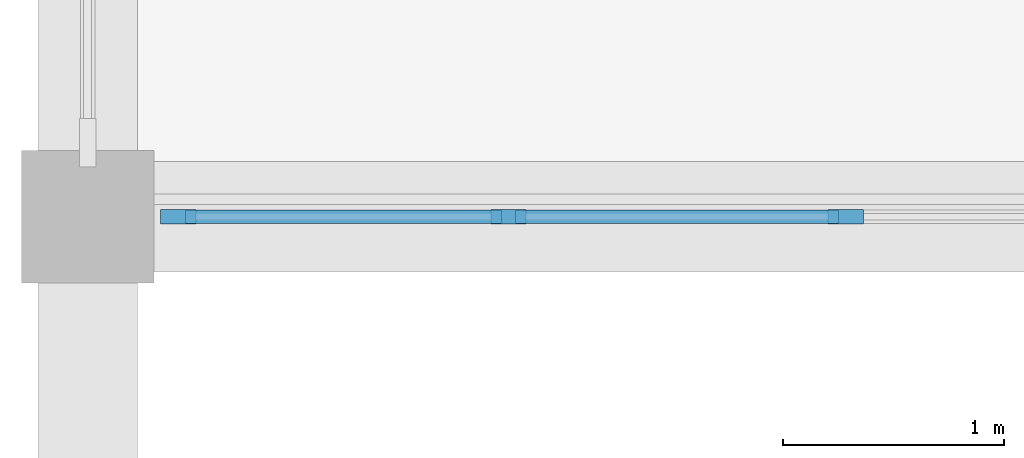
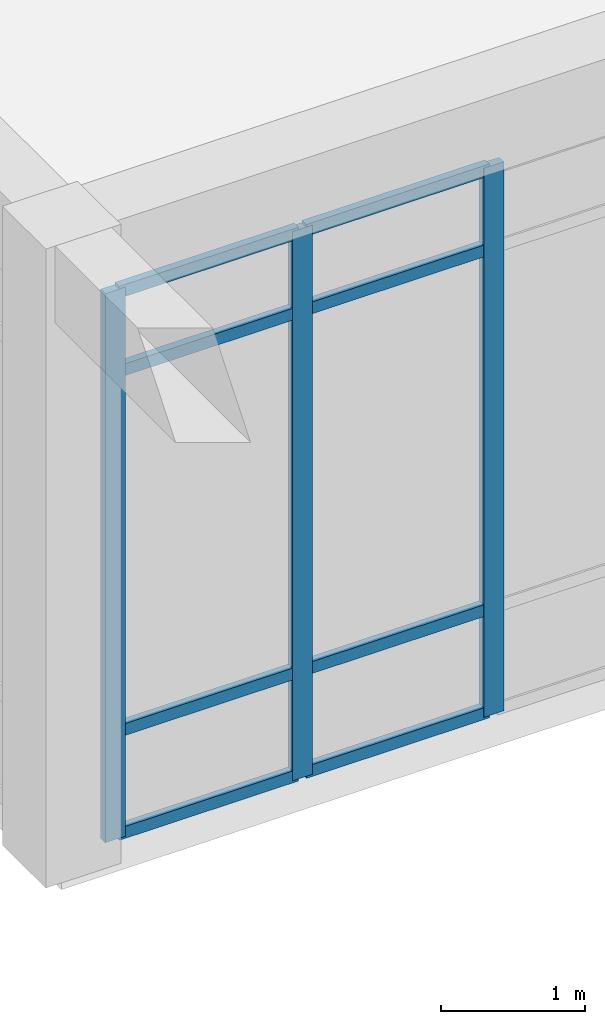
# One storey, part 8 of 89: 11 members, 1 element without a shape of its own.
"""IFC4 building model written with IfcOpenShell, lengths in metres."""

from ifc_helpers import new_model, si_unit, direction, frame, origin, origin_2d, place, context, subcontext, project, spatial, rectangle, extrude, material, material_profile, profile_set, type_object, element, aggregate, save


model = new_model("IFC4")

# Units and contexts
model_context = context("Model", 3, precision=1e-05, world=origin(), true_north=direction((0.0, 1.0)))
body_context = subcontext(model_context, "Body", "Model", "MODEL_VIEW")
ifc_project = project(units=[si_unit("LENGTHUNIT", "METRE"), si_unit("AREAUNIT", "SQUARE_METRE"), si_unit("VOLUMEUNIT", "CUBIC_METRE"), si_unit("PLANEANGLEUNIT", "RADIAN"), si_unit("MASSUNIT", "GRAM", prefix="KILO")], contexts=[model_context])

# Site, building, storey
site_placement = place(None, origin())
site = spatial("IfcSite", under=ifc_project, at=site_placement, CompositionType="ELEMENT")
building_placement = place(site_placement, origin())
building = spatial("IfcBuilding", under=site, at=building_placement, Name="Varncliffe General Hospital", CompositionType="ELEMENT")
storey_placement = place(building_placement, frame((0.0, 0.0, 10.800048828125)))
storey = spatial("IfcBuildingStorey", under=building, at=storey_placement, Name="L02", CompositionType="ELEMENT", Elevation=10.800048828125)

# Curtain wall, members
ifc_material_1 = material(Name="Triple low-E argon insulated vision glazing", Category="glass")
curtain_wall_type = type_object("IfcCurtainWallType", Name="Unitised Glazed Curtain Wall CW27 (7644x4640)", PredefinedType="USERDEFINED", material=ifc_material_1)
curtain_wall_placement = place(storey_placement, origin())
curtain_wall = element("IfcCurtainWall", 1, at=curtain_wall_placement, inside=storey, type_object=curtain_wall_type, Name="L02 Glazed Curtain Wall CW27-140", ObjectType="GLAZED CURTAIN WALL", PredefinedType="USERDEFINED")
ifc_material_2 = material(Name="Dark bronze thermally broken aluminium framing", Category="aluminium")
ifc_material_profile_1 = material_profile(ifc_material_2, rectangle(XDim=0.06494140625, YDim=0.159912109375, at=origin_2d()), Name="ALU 65x160")
ifc_profile_set_1 = profile_set([ifc_material_profile_1], Name="Dark bronze thermally broken aluminium framing")
member_type_1 = type_object("IfcMemberType", Name="Curtain Wall Mullion CM65 (ALU 65x160)", PredefinedType="MULLION", material=ifc_profile_set_1)
member_1_placement = place(storey_placement, frame((62.235595703125, 57.60009765625, 0.0), z_axis=(0.0, 0.0, 1.0), x_axis=(0.0, -1.0, 0.0)))
member_1 = element("IfcMember", 2, at=member_1_placement, type_object=member_type_1, Name="CW27 mullion 4", PredefinedType="MULLION", context=body_context, shape_type="SweptSolid", body=[
    extrude(rectangle(XDim=0.06494140625, YDim=0.159912109375, at=origin_2d()), origin(), (0.0, 0.0, 1.0), 4.639892578125),
])
member_2_placement = place(storey_placement, frame((60.706787109375, 57.60009765625, 0.0), z_axis=(0.0, 0.0, 1.0), x_axis=(0.0, -1.0, 0.0)))
member_2 = element("IfcMember", 3, at=member_2_placement, type_object=member_type_1, Name="CW27 mullion 5", PredefinedType="MULLION", context=body_context, shape_type="SweptSolid", body=[
    extrude(rectangle(XDim=0.06494140625, YDim=0.159912109375, at=origin_2d()), origin(), (0.0, 0.0, 1.0), 4.639892578125),
])
member_3_placement = place(storey_placement, frame((59.21044921875, 57.60009765625, 0.0), z_axis=(0.0, 0.0, 1.0), x_axis=(0.0, -1.0, 0.0)))
member_3 = element("IfcMember", 4, at=member_3_placement, type_object=member_type_1, Name="CW27 mullion 6", PredefinedType="MULLION", context=body_context, shape_type="SweptSolid", body=[
    extrude(rectangle(XDim=0.06494140625, YDim=0.159912109375, at=origin_2d()), origin(), (0.0, 0.0, 1.0), 4.639892578125),
])
ifc_material_profile_2 = material_profile(ifc_material_2, rectangle(XDim=0.06005859375, YDim=0.10009765625, at=origin_2d()), Name="ALU 60x100")
ifc_profile_set_2 = profile_set([ifc_material_profile_2], Name="Dark bronze thermally broken aluminium framing")
member_type_2 = type_object("IfcMemberType", Name="Curtain Wall Transom CT18 (ALU 60x100)", PredefinedType="USERDEFINED", material=ifc_profile_set_2)
member_4_placement = place(storey_placement, frame((62.203125, 57.60009765625, 0.030029296875), z_axis=(-1.0, 0.0, 0.0), x_axis=(0.0, -1.0, 0.0)))
member_4 = element("IfcMember", 5, at=member_4_placement, type_object=member_type_2, Name="CW27 transom 4.1", ObjectType="TRANSOM", PredefinedType="USERDEFINED", context=body_context, shape_type="SweptSolid", body=[
    extrude(rectangle(XDim=0.06005859375, YDim=0.10009765625, at=origin_2d()), origin(), (0.0, 0.0, 1.0), 1.4638671875),
])
member_5_placement = place(storey_placement, frame((62.203125, 57.60009765625, 0.89990234375), z_axis=(-1.0, 0.0, 0.0), x_axis=(0.0, -1.0, 0.0)))
member_5 = element("IfcMember", 6, at=member_5_placement, type_object=member_type_2, Name="CW27 transom 4.2", ObjectType="TRANSOM", PredefinedType="USERDEFINED", context=body_context, shape_type="SweptSolid", body=[
    extrude(rectangle(XDim=0.06005859375, YDim=0.10009765625, at=origin_2d()), origin(), (0.0, 0.0, 1.0), 1.4638671875),
])
member_6_placement = place(storey_placement, frame((62.203125, 57.60009765625, 3.93994140625), z_axis=(-1.0, 0.0, 0.0), x_axis=(0.0, -1.0, 0.0)))
member_6 = element("IfcMember", 7, at=member_6_placement, type_object=member_type_2, Name="CW27 transom 4.3", ObjectType="TRANSOM", PredefinedType="USERDEFINED", context=body_context, shape_type="SweptSolid", body=[
    extrude(rectangle(XDim=0.06005859375, YDim=0.10009765625, at=origin_2d()), origin(), (0.0, 0.0, 1.0), 1.4638671875),
])
member_7_placement = place(storey_placement, frame((62.203125, 57.60009765625, 4.60986328125), z_axis=(-1.0, 0.0, 0.0), x_axis=(0.0, -1.0, 0.0)))
member_7 = element("IfcMember", 8, at=member_7_placement, type_object=member_type_2, Name="CW27 transom 4.4", ObjectType="TRANSOM", PredefinedType="USERDEFINED", context=body_context, shape_type="SweptSolid", body=[
    extrude(rectangle(XDim=0.06005859375, YDim=0.10009765625, at=origin_2d()), origin(), (0.0, 0.0, 1.0), 1.4638671875),
])
member_8_placement = place(storey_placement, frame((60.67431640625, 57.60009765625, 0.030029296875), z_axis=(-1.0, 0.0, 0.0), x_axis=(0.0, -1.0, 0.0)))
member_8 = element("IfcMember", 9, at=member_8_placement, type_object=member_type_2, Name="CW27 transom 5.1", ObjectType="TRANSOM", PredefinedType="USERDEFINED", context=body_context, shape_type="SweptSolid", body=[
    extrude(rectangle(XDim=0.06005859375, YDim=0.10009765625, at=origin_2d()), origin(), (0.0, 0.0, 1.0), 1.431396484375),
])
member_9_placement = place(storey_placement, frame((60.67431640625, 57.60009765625, 0.89990234375), z_axis=(-1.0, 0.0, 0.0), x_axis=(0.0, -1.0, 0.0)))
member_9 = element("IfcMember", 10, at=member_9_placement, type_object=member_type_2, Name="CW27 transom 5.2", ObjectType="TRANSOM", PredefinedType="USERDEFINED", context=body_context, shape_type="SweptSolid", body=[
    extrude(rectangle(XDim=0.06005859375, YDim=0.10009765625, at=origin_2d()), origin(), (0.0, 0.0, 1.0), 1.431396484375),
])
member_10_placement = place(storey_placement, frame((60.67431640625, 57.60009765625, 3.93994140625), z_axis=(-1.0, 0.0, 0.0), x_axis=(0.0, -1.0, 0.0)))
member_10 = element("IfcMember", 11, at=member_10_placement, type_object=member_type_2, Name="CW27 transom 5.3", ObjectType="TRANSOM", PredefinedType="USERDEFINED", context=body_context, shape_type="SweptSolid", body=[
    extrude(rectangle(XDim=0.06005859375, YDim=0.10009765625, at=origin_2d()), origin(), (0.0, 0.0, 1.0), 1.431396484375),
])
member_11_placement = place(storey_placement, frame((60.67431640625, 57.60009765625, 4.60986328125), z_axis=(-1.0, 0.0, 0.0), x_axis=(0.0, -1.0, 0.0)))
member_11 = element("IfcMember", 12, at=member_11_placement, type_object=member_type_2, Name="CW27 transom 5.4", ObjectType="TRANSOM", PredefinedType="USERDEFINED", context=body_context, shape_type="SweptSolid", body=[
    extrude(rectangle(XDim=0.06005859375, YDim=0.10009765625, at=origin_2d()), origin(), (0.0, 0.0, 1.0), 1.431396484375),
])
aggregate(curtain_wall, [member_1, member_2, member_3, member_4, member_5, member_6, member_7, member_8, member_9, member_10, member_11])

save(model, "model.ifc")
